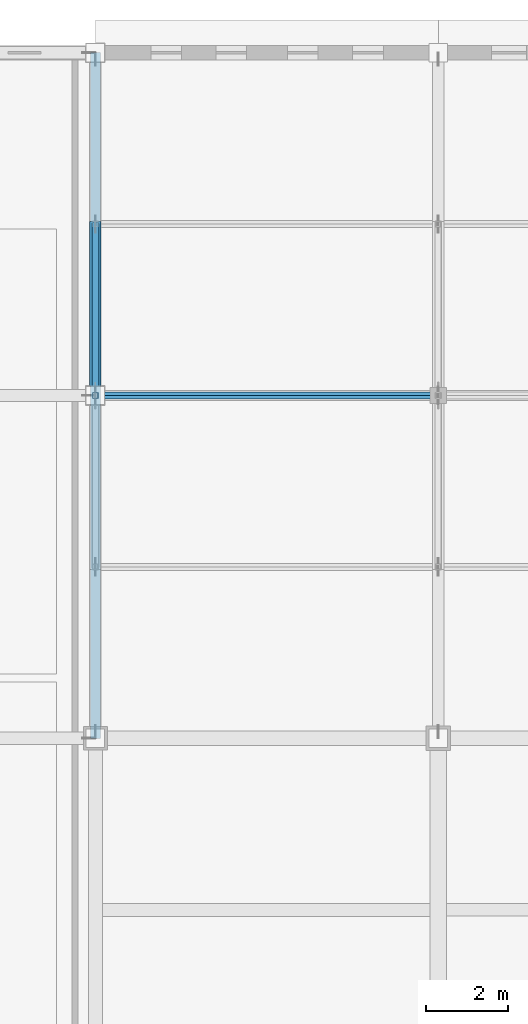
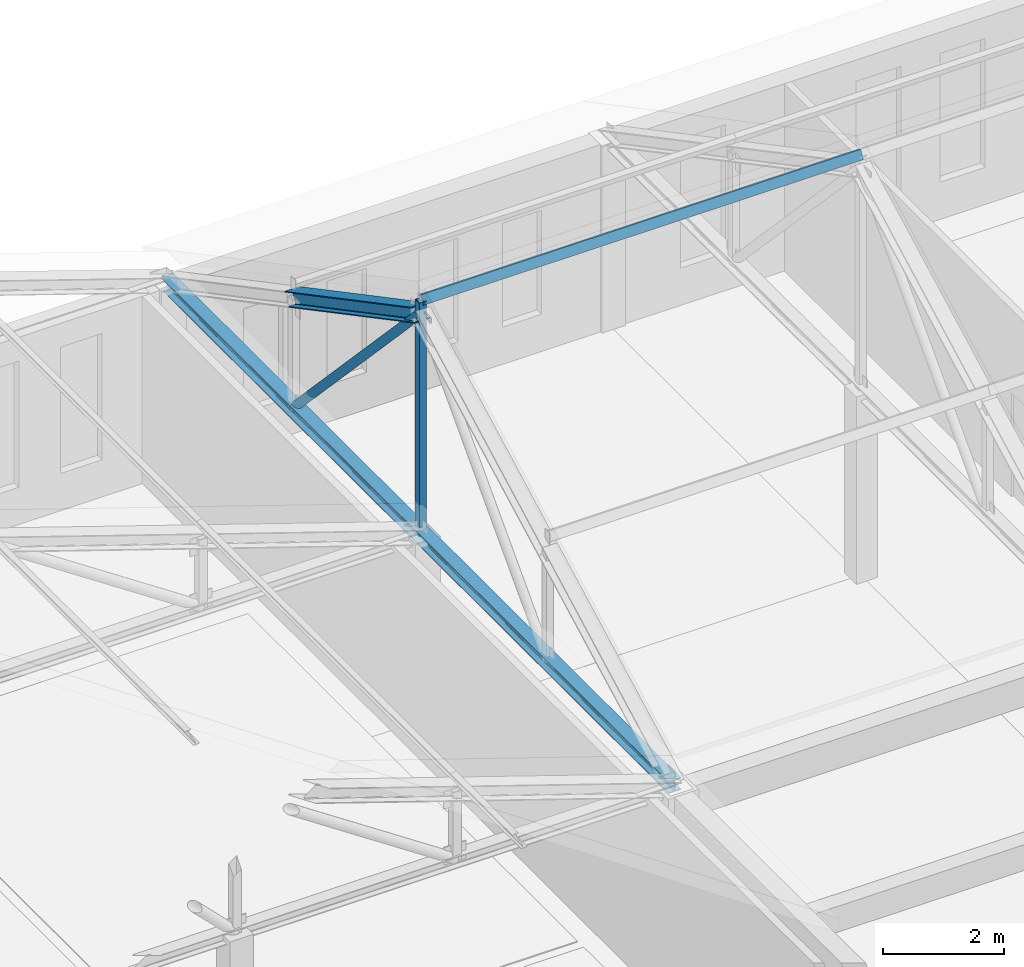
# One storey, part 17 of 56: 5 members.
"""IFC4 building model written with IfcOpenShell, lengths in metres."""

from ifc_helpers import new_model, si_unit, direction, frame, origin, origin_2d, place, context, subcontext, project, spatial, hollow_rectangle, hollow_circle, i_section, extrude, material, material_profile, profile_set, type_object, element, save


model = new_model("IFC4")

# Units and contexts
model_context = context("Model", 3, precision=1e-05, world=origin(), true_north=direction((0.0, 1.0)))
body_context = subcontext(model_context, "Body", "Model", "MODEL_VIEW")
ifc_project = project(units=[si_unit("LENGTHUNIT", "METRE"), si_unit("AREAUNIT", "SQUARE_METRE"), si_unit("VOLUMEUNIT", "CUBIC_METRE"), si_unit("PLANEANGLEUNIT", "RADIAN"), si_unit("MASSUNIT", "GRAM", prefix="KILO")], contexts=[model_context])

# Site, building, storey
site_placement = place(None, origin())
site = spatial("IfcSite", under=ifc_project, at=site_placement, CompositionType="ELEMENT")
building_placement = place(site_placement, origin())
building = spatial("IfcBuilding", under=site, at=building_placement, Name="Kveldsbrygga Polytechnic", CompositionType="ELEMENT")
storey_placement = place(building_placement, frame((0.0, 0.0, 18.02001953125)))
storey = spatial("IfcBuildingStorey", under=building, at=storey_placement, Name="L04", CompositionType="ELEMENT", Elevation=18.02001953125)

# Members
ifc_material = material(Name="Steel S355", Category="steel")
ifc_material_profile_1 = material_profile(ifc_material, hollow_circle(Radius=0.084228515625, WallThickness=0.010009765625, at=origin_2d()), Name="CHS 168.3x10.0")
ifc_profile_set_1 = profile_set([ifc_material_profile_1], Name="Steel S355")
member_type_1 = type_object("IfcMemberType", Name="BR-WIND-CHS168", PredefinedType="BRACE", material=ifc_profile_set_1)
member_1_placement = place(storey_placement, frame((126.0, 109.199951171875, 8.22998046875), z_axis=(0.0, 0.686383320151, -0.727239945148), x_axis=(-1.0, 0.0, 0.0)))
element("IfcMember", 1, at=member_1_placement, inside=storey, type_object=member_type_1, Name="Truss Diagonal V4N5-T01-DG-3", PredefinedType="BRACE", context=body_context, shape_type="SweptSolid", body=[
    extrude(hollow_circle(Radius=0.084228515625, WallThickness=0.010009765625, at=origin_2d()), origin(), (0.0, 0.0, 1.0), 6.118896484375),
])
ifc_material_profile_2 = material_profile(ifc_material, hollow_rectangle(XDim=0.10009765625, YDim=0.179931640625, WallThickness=0.008056640625, at=origin_2d()), Name="RHS 180x100x8.0")
ifc_profile_set_2 = profile_set([ifc_material_profile_2], Name="Steel S355")
member_type_2 = type_object("IfcMemberType", Name="PRL-RHS180", PredefinedType="PURLIN", material=ifc_profile_set_2)
member_2_placement = place(storey_placement, frame((126.0, 109.199951171875, 8.490234375), z_axis=(1.0, 0.0, 0.0), x_axis=(0.0, 0.883660254474, -0.468128779998)))
element("IfcMember", 2, at=member_2_placement, inside=storey, type_object=member_type_2, Name="Roof Purlin V4N5-PRL-1-2", PredefinedType="PURLIN", context=body_context, shape_type="SweptSolid", body=[
    extrude(hollow_rectangle(XDim=0.10009765625, YDim=0.179931640625, WallThickness=0.008056640625, at=origin_2d()), origin(), (0.0, 0.0, 1.0), 8.39990234375),
])
ifc_material_profile_3 = material_profile(ifc_material, i_section(OverallWidth=0.239990234375, OverallDepth=0.239990234375, WebThickness=0.010009765625, FlangeThickness=0.01708984375, FilletRadius=0.02099609375, at=origin_2d()), Name="HEB 240")
ifc_profile_set_3 = profile_set([ifc_material_profile_3], Name="Steel S355")
member_type_3 = type_object("IfcMemberType", Name="TR-BOT-HEB240", PredefinedType="CHORD", material=ifc_profile_set_3)
member_3_placement = place(storey_placement, frame((126.0, 100.800048828125, 3.780029296875), z_axis=(0.0, 1.0, 0.0), x_axis=(-1.0, 0.0, 0.0)))
element("IfcMember", 3, at=member_3_placement, inside=storey, type_object=member_type_3, Name="Truss Bottom Chord V4N5-T01-BC-1", PredefinedType="CHORD", context=body_context, shape_type="SweptSolid", body=[
    extrude(i_section(OverallWidth=0.239990234375, OverallDepth=0.239990234375, WebThickness=0.010009765625, FlangeThickness=0.01708984375, FilletRadius=0.02099609375, at=origin_2d()), origin(), (0.0, 0.0, 1.0), 16.800048828125),
])
ifc_material_profile_4 = material_profile(ifc_material, hollow_rectangle(XDim=0.139892578125, YDim=0.139892578125, WallThickness=0.008056640625, at=origin_2d()), Name="SHS 140x140x8.0")
ifc_profile_set_4 = profile_set([ifc_material_profile_4], Name="Steel S355")
member_type_4 = type_object("IfcMemberType", Name="TR-POST-SHS140", PredefinedType="STRUT", material=ifc_profile_set_4)
member_4_placement = place(storey_placement, frame((126.0, 109.199951171875, 3.780029296875), z_axis=(0.0, 0.0, 1.0), x_axis=(1.0, 0.0, 0.0)))
element("IfcMember", 4, at=member_4_placement, inside=storey, type_object=member_type_4, Name="Truss Vertical V4N5-T01-VT-2", PredefinedType="STRUT", context=body_context, shape_type="SweptSolid", body=[
    extrude(hollow_rectangle(XDim=0.139892578125, YDim=0.139892578125, WallThickness=0.008056640625, at=origin_2d()), origin(), (0.0, 0.0, 1.0), 4.710205078125),
])
ifc_material_profile_5 = material_profile(ifc_material, i_section(OverallWidth=0.280029296875, OverallDepth=0.280029296875, WebThickness=0.010498046875, FlangeThickness=0.01806640625, FilletRadius=0.02392578125, at=origin_2d()), Name="HEB 280")
ifc_profile_set_5 = profile_set([ifc_material_profile_5], Name="Steel S355")
member_type_5 = type_object("IfcMemberType", Name="TR-TOP-HEB280", PredefinedType="CHORD", material=ifc_profile_set_5)
member_5_placement = place(storey_placement, frame((126.0, 109.199951171875, 8.22998046875), z_axis=(0.0, 0.883649189339, -0.468149666432), x_axis=(-1.0, 0.0, 0.0)))
element("IfcMember", 5, at=member_5_placement, inside=storey, type_object=member_type_5, Name="Truss Top Chord V4N5-T01-TC-3", PredefinedType="CHORD", context=body_context, shape_type="SweptSolid", body=[
    extrude(i_section(OverallWidth=0.280029296875, OverallDepth=0.280029296875, WebThickness=0.010498046875, FlangeThickness=0.01806640625, FilletRadius=0.02392578125, at=origin_2d()), origin(), (0.0, 0.0, 1.0), 4.7529296875),
])

save(model, "model.ifc")
